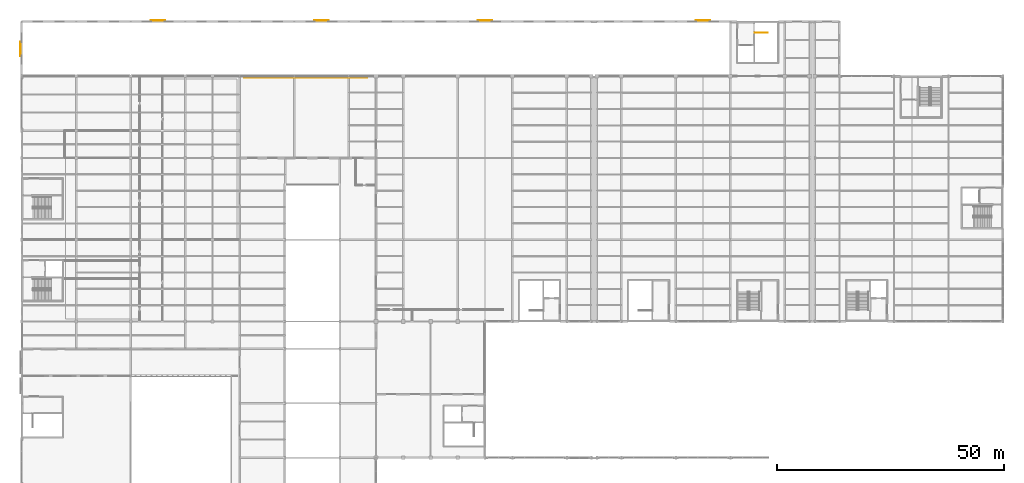
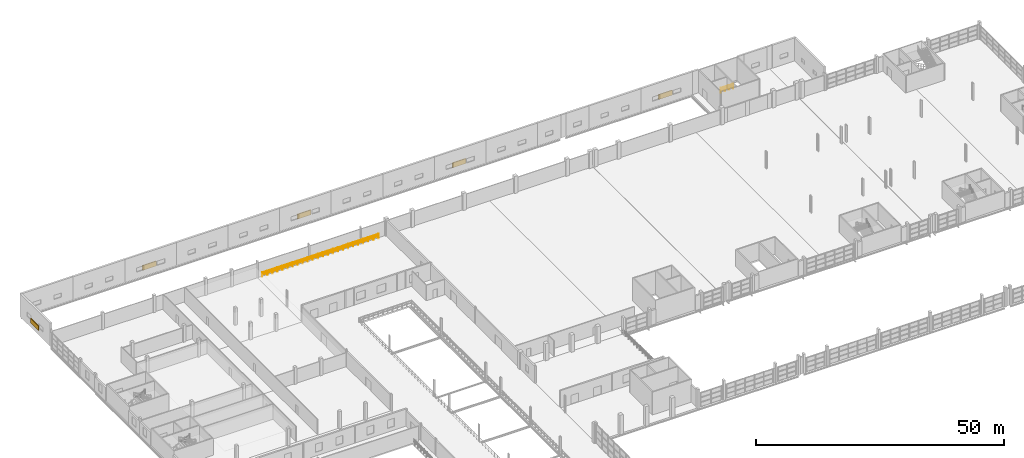
# One storey, part 146 of 147: 5 shading devices, 2 railings.
"""IFC4 building model written with IfcOpenShell, lengths in metres."""

from ifc_helpers import new_model, si_unit, direction, frame, origin, origin_2d, place, context, subcontext, project, spatial, rectangle, circle, extrude, material, type_object, element, save


model = new_model("IFC4")

# Units and contexts
model_context = context("Model", 3, precision=1e-05, world=origin(), true_north=direction((0.0, 1.0)))
body_context = subcontext(model_context, "Body", "Model", "MODEL_VIEW")
ifc_project = project(units=[si_unit("LENGTHUNIT", "METRE"), si_unit("AREAUNIT", "SQUARE_METRE"), si_unit("VOLUMEUNIT", "CUBIC_METRE"), si_unit("PLANEANGLEUNIT", "RADIAN"), si_unit("MASSUNIT", "GRAM", prefix="KILO")], contexts=[model_context])

# Site, building, storey
site_placement = place(None, origin())
site = spatial("IfcSite", under=ifc_project, at=site_placement, CompositionType="ELEMENT")
building_placement = place(site_placement, origin())
building = spatial("IfcBuilding", under=site, at=building_placement, Name="Zilviju Railside Exhibition Hall", CompositionType="ELEMENT")
storey_placement = place(building_placement, frame((0.0, 0.0, 8.39990234375)))
storey = spatial("IfcBuildingStorey", under=building, at=storey_placement, Name="L03", CompositionType="ELEMENT", Elevation=8.39990234375)

# Railings
ifc_material_1 = material(Name="Wrought-iron Jugendstils terrace guardrail", Category="steel")
railing_type_1 = type_object("IfcRailingType", Name="RL-GUARD-1120", PredefinedType="GUARDRAIL", material=ifc_material_1)
railing_1_placement = place(storey_placement, frame((49.0, 137.64990234375, 0.0)))
element("IfcRailing", 1, at=railing_1_placement, inside=storey, type_object=railing_type_1, Name="North Concourse Planted Roof Garden Perimeter Guardrail", PredefinedType="GUARDRAIL", context=body_context, shape_type="SweptSolid", body=[
    extrude(circle(Radius=0.02392578125, at=origin_2d()), frame((0.021728515625, 0.0, 1.09619140625), z_axis=(1.0, 0.0, 0.0), x_axis=(0.0, 1.0, 0.0)), (0.0, 0.0, 1.0), 26.956298828125),
    extrude(circle(Radius=0.02392578125, at=origin_2d()), frame((0.021728515625, 0.0, 0.56005859375), z_axis=(1.0, 0.0, 0.0), x_axis=(0.0, 1.0, 0.0)), (0.0, 0.0, 1.0), 26.956298828125),
    extrude(circle(Radius=0.02099609375, at=origin_2d()), origin(), (0.0, 0.0, 1.0), 1.1201171875),
    extrude(circle(Radius=0.02099609375, at=origin_2d()), frame((1.173828125, 0.0, 0.0)), (0.0, 0.0, 1.0), 1.1201171875),
    extrude(circle(Radius=0.02099609375, at=origin_2d()), frame((2.347900390625, 0.0, 0.0)), (0.0, 0.0, 1.0), 1.1201171875),
    extrude(circle(Radius=0.02099609375, at=origin_2d()), frame((3.521728515625, 0.0, 0.0)), (0.0, 0.0, 1.0), 1.1201171875),
    extrude(circle(Radius=0.02099609375, at=origin_2d()), frame((4.695556640625, 0.0, 0.0)), (0.0, 0.0, 1.0), 1.1201171875),
    extrude(circle(Radius=0.02099609375, at=origin_2d()), frame((5.86962890625, 0.0, 0.0)), (0.0, 0.0, 1.0), 1.1201171875),
    extrude(circle(Radius=0.02099609375, at=origin_2d()), frame((7.04345703125, 0.0, 0.0)), (0.0, 0.0, 1.0), 1.1201171875),
    extrude(circle(Radius=0.02099609375, at=origin_2d()), frame((8.21728515625, 0.0, 0.0)), (0.0, 0.0, 1.0), 1.1201171875),
    extrude(circle(Radius=0.02099609375, at=origin_2d()), frame((9.391357421875, 0.0, 0.0)), (0.0, 0.0, 1.0), 1.1201171875),
    extrude(circle(Radius=0.02099609375, at=origin_2d()), frame((10.565185546875, 0.0, 0.0)), (0.0, 0.0, 1.0), 1.1201171875),
    extrude(circle(Radius=0.02099609375, at=origin_2d()), frame((11.739013671875, 0.0, 0.0)), (0.0, 0.0, 1.0), 1.1201171875),
    extrude(circle(Radius=0.02099609375, at=origin_2d()), frame((12.9130859375, 0.0, 0.0)), (0.0, 0.0, 1.0), 1.1201171875),
    extrude(circle(Radius=0.02099609375, at=origin_2d()), frame((14.0869140625, 0.0, 0.0)), (0.0, 0.0, 1.0), 1.1201171875),
    extrude(circle(Radius=0.02099609375, at=origin_2d()), frame((15.260986328125, 0.0, 0.0)), (0.0, 0.0, 1.0), 1.1201171875),
    extrude(circle(Radius=0.02099609375, at=origin_2d()), frame((16.434814453125, 0.0, 0.0)), (0.0, 0.0, 1.0), 1.1201171875),
    extrude(circle(Radius=0.02099609375, at=origin_2d()), frame((17.608642578125, 0.0, 0.0)), (0.0, 0.0, 1.0), 1.1201171875),
    extrude(circle(Radius=0.02099609375, at=origin_2d()), frame((18.78271484375, 0.0, 0.0)), (0.0, 0.0, 1.0), 1.1201171875),
    extrude(circle(Radius=0.02099609375, at=origin_2d()), frame((19.95654296875, 0.0, 0.0)), (0.0, 0.0, 1.0), 1.1201171875),
    extrude(circle(Radius=0.02099609375, at=origin_2d()), frame((21.13037109375, 0.0, 0.0)), (0.0, 0.0, 1.0), 1.1201171875),
    extrude(circle(Radius=0.02099609375, at=origin_2d()), frame((22.304443359375, 0.0, 0.0)), (0.0, 0.0, 1.0), 1.1201171875),
    extrude(circle(Radius=0.02099609375, at=origin_2d()), frame((23.478271484375, 0.0, 0.0)), (0.0, 0.0, 1.0), 1.1201171875),
    extrude(circle(Radius=0.02099609375, at=origin_2d()), frame((24.652099609375, 0.0, 0.0)), (0.0, 0.0, 1.0), 1.1201171875),
    extrude(circle(Radius=0.02099609375, at=origin_2d()), frame((25.826171875, 0.0, 0.0)), (0.0, 0.0, 1.0), 1.1201171875),
    extrude(circle(Radius=0.02099609375, at=origin_2d()), frame((27.0, 0.0, 0.0)), (0.0, 0.0, 1.0), 1.1201171875),
])
ifc_material_2 = material(Name="Wrought-iron and laminated-glass atrium guardrail", Category="glass")
railing_type_2 = type_object("IfcRailingType", Name="RL-INT-GUARD-1120", PredefinedType="GUARDRAIL", material=ifc_material_2)
railing_2_placement = place(storey_placement, frame((164.199951171875, 147.580078125, 0.0)))
element("IfcRailing", 2, at=railing_2_placement, inside=storey, type_object=railing_type_2, Name="Core C17 Logistics Wing East Top-Landing Well Guardrail L03", PredefinedType="GUARDRAIL", context=body_context, shape_type="SweptSolid", body=[
    extrude(circle(Radius=0.02392578125, at=origin_2d()), frame((-0.021728515625, 0.0, 1.09619140625), z_axis=(-1.0, 0.0, 0.0), x_axis=(0.0, -1.0, 0.0)), (0.0, 0.0, 1.0), 2.80615234375),
    extrude(circle(Radius=0.02392578125, at=origin_2d()), frame((-0.021728515625, 0.0, 0.56005859375), z_axis=(-1.0, 0.0, 0.0), x_axis=(0.0, -1.0, 0.0)), (0.0, 0.0, 1.0), 2.80615234375),
    extrude(circle(Radius=0.02099609375, at=origin_2d()), origin(), (0.0, 0.0, 1.0), 1.1201171875),
    extrude(circle(Radius=0.02099609375, at=origin_2d()), frame((-0.949951171875, 0.0, 0.0)), (0.0, 0.0, 1.0), 1.1201171875),
    extrude(circle(Radius=0.02099609375, at=origin_2d()), frame((-1.89990234375, 0.0, 0.0)), (0.0, 0.0, 1.0), 1.1201171875),
    extrude(circle(Radius=0.02099609375, at=origin_2d()), frame((-2.849853515625, 0.0, 0.0)), (0.0, 0.0, 1.0), 1.1201171875),
])

# Shading devices
ifc_material_3 = material(Name="Anodized aluminium acoustic weather louvre", Category="aluminium")
shading_device_type = type_object("IfcShadingDeviceType", Name="SHD-LOUVRE-AC", PredefinedType="JALOUSIE", material=ifc_material_3)
for number, where, z_axis, x_axis, name in (
    (3, (30.0, 150.284912109375, 1.2001953125), (0.0, 0.0, 1.0), (1.0, 0.0, 0.0), "Acoustic Intake Weather Louvre LV-005"),
    (4, (66.0, 150.284912109375, 1.2001953125), (0.0, 0.0, 1.0), (1.0, 0.0, 0.0), "Acoustic Intake Weather Louvre LV-006"),
    (5, (102.0, 150.284912109375, 1.2001953125), (0.0, 0.0, 1.0), (1.0, 0.0, 0.0), "Acoustic Intake Weather Louvre LV-007"),
    (6, (150.0, 150.284912109375, 1.2001953125), (0.0, 0.0, 1.0), (1.0, 0.0, 0.0), "Acoustic Intake Weather Louvre LV-008"),
    (7, (-0.284912109375, 144.0, 1.2001953125), (0.0, 0.0, 1.0), (0.0, 1.0, 0.0), "Acoustic Intake Weather Louvre LV-009"),
):
    element("IfcShadingDevice", number, at=place(storey_placement, frame(where, z_axis=z_axis, x_axis=x_axis)), inside=storey, type_object=shading_device_type, Name=name, PredefinedType="JALOUSIE", context=body_context, shape_type="SweptSolid", body=[
        extrude(rectangle(XDim=3.199951171875, YDim=0.179931640625, at=origin_2d()), origin(), (0.0, 0.0, 1.0), 1.199951171875),
    ])

save(model, "model.ifc")
